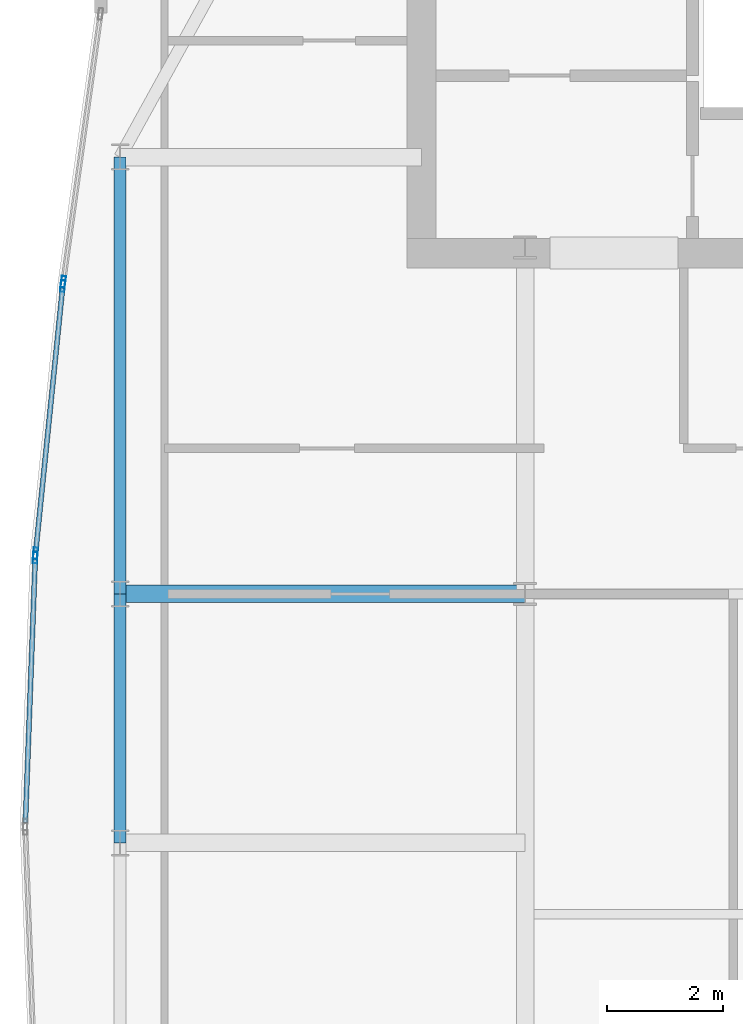
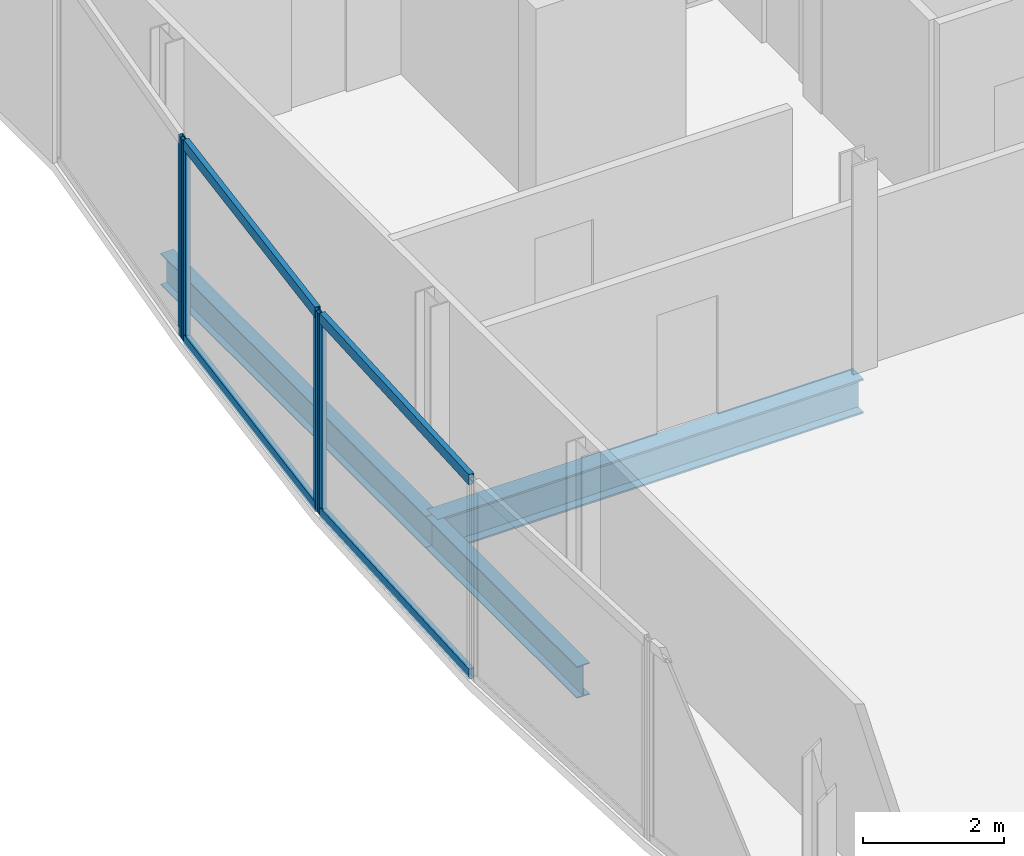
# One storey, part 10 of 26: 8 members, 3 beams, 3 elements without a shape of their own.
"""IFC4 building model written with IfcOpenShell, lengths in metres."""

from ifc_helpers import new_model, si_unit, direction, frame, origin, origin_2d, place, context, subcontext, project, spatial, hollow_rectangle, i_section, extrude, material, material_profile, profile_set, type_object, element, aggregate, save


model = new_model("IFC4")

# Units and contexts
model_context = context("Model", 3, precision=1e-05, world=origin(), true_north=direction((0.0, 1.0)))
body_context = subcontext(model_context, "Body", "Model", "MODEL_VIEW")
ifc_project = project(units=[si_unit("LENGTHUNIT", "METRE"), si_unit("AREAUNIT", "SQUARE_METRE"), si_unit("VOLUMEUNIT", "CUBIC_METRE"), si_unit("PLANEANGLEUNIT", "RADIAN"), si_unit("MASSUNIT", "GRAM", prefix="KILO")], contexts=[model_context])

# Site, building, storey
site_placement = place(None, origin())
site = spatial("IfcSite", under=ifc_project, at=site_placement, CompositionType="ELEMENT")
building_placement = place(site_placement, origin())
building = spatial("IfcBuilding", under=site, at=building_placement, Name="Khoronbel Lancet Exchange", CompositionType="ELEMENT")
storey_placement = place(building_placement, frame((0.0, 0.0, 339.800048828125)))
storey = spatial("IfcBuildingStorey", under=building, at=storey_placement, Name="L88", CompositionType="ELEMENT", Elevation=339.800048828125)

# Beams
ifc_material_1 = material(Name="Steel S355", Category="steel")
ifc_material_profile_1 = material_profile(ifc_material_1, i_section(OverallWidth=0.300048828125, OverallDepth=0.60009765625, WebThickness=0.015380859375, FlangeThickness=0.030029296875, at=origin_2d()), Name="HEB 600")
ifc_profile_set_1 = profile_set([ifc_material_profile_1], Name="Steel S355")
beam_type_1 = type_object("IfcBeamType", Name="BM-BG5", PredefinedType="BEAM", material=ifc_profile_set_1)
beam_1_placement = place(storey_placement, frame((11.27001953125, 35.699951171875, -0.4599609375), z_axis=(1.0, 0.0, 0.0), x_axis=(0.0, 1.0, 0.0)))
element("IfcBeam", 1, at=beam_1_placement, inside=storey, type_object=beam_type_1, Name="Level L88 west lens tie girder LG4W", PredefinedType="BEAM", context=body_context, shape_type="SweptSolid", body=[
    extrude(i_section(OverallWidth=0.300048828125, OverallDepth=0.60009765625, WebThickness=0.015380859375, FlangeThickness=0.030029296875, at=origin_2d()), origin(), (0.0, 0.0, 1.0), 6.955078125),
])
ifc_material_profile_2 = material_profile(ifc_material_1, i_section(OverallWidth=0.2099609375, OverallDepth=0.550048828125, WebThickness=0.010986328125, FlangeThickness=0.01708984375, at=origin_2d()), Name="IPE 550")
ifc_profile_set_2 = profile_set([ifc_material_profile_2], Name="Steel S355")
beam_type_2 = type_object("IfcBeamType", Name="BM-BSP3", PredefinedType="SPANDREL", material=ifc_profile_set_2)
beam_2_placement = place(storey_placement, frame((11.27001953125, 43.199951171875, -0.43505859375), z_axis=(0.0, -1.0, 0.0), x_axis=(1.0, 0.0, 0.0)))
element("IfcBeam", 2, at=beam_2_placement, inside=storey, type_object=beam_type_2, Name="Level L88 perimeter spandrel beam SP15", PredefinedType="SPANDREL", context=body_context, shape_type="SweptSolid", body=[
    extrude(i_section(OverallWidth=0.2099609375, OverallDepth=0.550048828125, WebThickness=0.010986328125, FlangeThickness=0.01708984375, at=origin_2d()), origin(), (0.0, 0.0, 1.0), 7.5),
])
beam_3_placement = place(storey_placement, frame((11.27001953125, 35.699951171875, -0.43505859375), z_axis=(0.0, -1.0, 0.0), x_axis=(1.0, 0.0, 0.0)))
element("IfcBeam", 3, at=beam_3_placement, inside=storey, type_object=beam_type_2, Name="Level L88 perimeter spandrel beam SP16", PredefinedType="SPANDREL", context=body_context, shape_type="SweptSolid", body=[
    extrude(i_section(OverallWidth=0.2099609375, OverallDepth=0.550048828125, WebThickness=0.010986328125, FlangeThickness=0.01708984375, at=origin_2d()), origin(), (0.0, 0.0, 1.0), 4.27490234375),
])

# Curtain wall, member
ifc_material_2 = material(Name="Low-E Solar Control Insulating Glass", Category="glass")
curtain_wall_type = type_object("IfcCurtainWallType", Name="CW-4", PredefinedType="NOTDEFINED", material=ifc_material_2)
curtain_wall_1_placement = place(storey_placement, origin())
curtain_wall_1 = element("IfcCurtainWall", 4, at=curtain_wall_1_placement, inside=storey, type_object=curtain_wall_type, Name="Unitised curtain wall CW-L88-E07", PredefinedType="NOTDEFINED")
ifc_material_3 = material(Name="Bronze-Anodised Aluminium 6063-T6", Category="aluminium")
ifc_material_profile_3 = material_profile(ifc_material_3, hollow_rectangle(XDim=0.074951171875, YDim=0.199951171875, WallThickness=0.0048828125, at=origin_2d()), Name="ALU MULLION 75x200")
ifc_profile_set_3 = profile_set([ifc_material_profile_3], Name="Bronze-Anodised Aluminium 6063-T6")
member_type_1 = type_object("IfcMemberType", Name="MEM-CWM2", PredefinedType="MULLION", material=ifc_profile_set_3)
member_1_placement = place(storey_placement, frame((9.814697265625, 36.322998046875, 0.0), z_axis=(0.0, 0.0, 1.0), x_axis=(-0.999307766192, 0.037201994942, 0.0)))
member_1 = element("IfcMember", 5, at=member_1_placement, type_object=member_type_1, Name="CW4 mullion 2", PredefinedType="MULLION", context=body_context, shape_type="SweptSolid", body=[
    extrude(hollow_rectangle(XDim=0.074951171875, YDim=0.199951171875, WallThickness=0.0048828125, at=origin_2d()), origin(), (0.0, 0.0, 1.0), 3.43994140625),
])

# Curtain wall, members
curtain_wall_2_placement = place(storey_placement, origin())
curtain_wall_2 = element("IfcCurtainWall", 6, at=curtain_wall_2_placement, inside=storey, type_object=curtain_wall_type, Name="Unitised curtain wall CW-L88-E08", PredefinedType="NOTDEFINED")
member_2_placement = place(storey_placement, frame((9.81982421875, 36.397705078125, 0.0), z_axis=(0.0, 0.0, 1.0), x_axis=(-0.994858128487, 0.101278350024, 0.0)))
member_2 = element("IfcMember", 7, at=member_2_placement, type_object=member_type_1, Name="CW4 mullion 1", PredefinedType="MULLION", context=body_context, shape_type="SweptSolid", body=[
    extrude(hollow_rectangle(XDim=0.074951171875, YDim=0.199951171875, WallThickness=0.0048828125, at=origin_2d()), origin(), (0.0, 0.0, 1.0), 3.43994140625),
])
member_3_placement = place(storey_placement, frame((10.286865234375, 40.985107421875, 0.0), z_axis=(0.0, 0.0, 1.0), x_axis=(-0.994858128487, 0.101278350024, 0.0)))
member_3 = element("IfcMember", 8, at=member_3_placement, type_object=member_type_1, Name="CW4 mullion 2", PredefinedType="MULLION", context=body_context, shape_type="SweptSolid", body=[
    extrude(hollow_rectangle(XDim=0.074951171875, YDim=0.199951171875, WallThickness=0.0048828125, at=origin_2d()), origin(), (0.0, 0.0, 1.0), 3.43994140625),
])

# Curtain wall, member
curtain_wall_3_placement = place(storey_placement, origin())
curtain_wall_3 = element("IfcCurtainWall", 9, at=curtain_wall_3_placement, inside=storey, type_object=curtain_wall_type, Name="Unitised curtain wall CW-L88-E09", PredefinedType="NOTDEFINED")
member_4_placement = place(storey_placement, frame((10.295654296875, 41.0595703125, 0.0), z_axis=(0.0, 0.0, 1.0), x_axis=(-0.990474689219, 0.137694916451, 0.0)))
member_4 = element("IfcMember", 10, at=member_4_placement, type_object=member_type_1, Name="CW4 mullion 1", PredefinedType="MULLION", context=body_context, shape_type="SweptSolid", body=[
    extrude(hollow_rectangle(XDim=0.074951171875, YDim=0.199951171875, WallThickness=0.0048828125, at=origin_2d()), origin(), (0.0, 0.0, 1.0), 3.43994140625),
])
aggregate(curtain_wall_3, [member_4])

# Member
ifc_material_profile_4 = material_profile(ifc_material_3, hollow_rectangle(XDim=0.0849609375, YDim=0.179931640625, WallThickness=0.0048828125, at=origin_2d()), Name="ALU TRANSOM 85x180")
ifc_profile_set_4 = profile_set([ifc_material_profile_4], Name="Bronze-Anodised Aluminium 6063-T6")
member_type_2 = type_object("IfcMemberType", Name="MEM-CWT1", PredefinedType="USERDEFINED", material=ifc_profile_set_4)
member_5_placement = place(storey_placement, frame((9.645263671875, 31.77490234375, 0.04248046875), z_axis=(0.037211706774, 0.999307404595, 0.0), x_axis=(-0.999307404595, 0.037211706774, 0.0)))
member_5 = element("IfcMember", 11, at=member_5_placement, type_object=member_type_2, Name="CW4 transom 1.1", ObjectType="TRANSOM", PredefinedType="USERDEFINED", context=body_context, shape_type="SweptSolid", body=[
    extrude(hollow_rectangle(XDim=0.0849609375, YDim=0.179931640625, WallThickness=0.0048828125, at=origin_2d()), origin(), (0.0, 0.0, 1.0), 4.513916015625),
])

member_6_placement = place(storey_placement, frame((9.645263671875, 31.77490234375, 3.3974609375), z_axis=(0.037211706774, 0.999307404595, 0.0), x_axis=(-0.999307404595, 0.037211706774, 0.0)))
member_6 = element("IfcMember", 12, at=member_6_placement, type_object=member_type_2, Name="CW4 transom 1.2", ObjectType="TRANSOM", PredefinedType="USERDEFINED", context=body_context, shape_type="SweptSolid", body=[
    extrude(hollow_rectangle(XDim=0.0849609375, YDim=0.179931640625, WallThickness=0.0048828125, at=origin_2d()), origin(), (0.0, 0.0, 1.0), 4.513916015625),
])

aggregate(curtain_wall_1, [member_1, member_5, member_6])

member_7_placement = place(storey_placement, frame((9.823486328125, 36.43505859375, 0.04248046875), z_axis=(0.10128866762, 0.994857078083, 0.0), x_axis=(-0.994857078083, 0.10128866762, 0.0)))
member_7 = element("IfcMember", 13, at=member_7_placement, type_object=member_type_2, Name="CW4 transom 1.1", ObjectType="TRANSOM", PredefinedType="USERDEFINED", context=body_context, shape_type="SweptSolid", body=[
    extrude(hollow_rectangle(XDim=0.0849609375, YDim=0.179931640625, WallThickness=0.0048828125, at=origin_2d()), origin(), (0.0, 0.0, 1.0), 4.536376953125),
])

member_8_placement = place(storey_placement, frame((9.823486328125, 36.43505859375, 3.3974609375), z_axis=(0.10128866762, 0.994857078083, 0.0), x_axis=(-0.994857078083, 0.10128866762, 0.0)))
member_8 = element("IfcMember", 14, at=member_8_placement, type_object=member_type_2, Name="CW4 transom 1.2", ObjectType="TRANSOM", PredefinedType="USERDEFINED", context=body_context, shape_type="SweptSolid", body=[
    extrude(hollow_rectangle(XDim=0.0849609375, YDim=0.179931640625, WallThickness=0.0048828125, at=origin_2d()), origin(), (0.0, 0.0, 1.0), 4.536376953125),
])

aggregate(curtain_wall_2, [member_2, member_3, member_7, member_8])

save(model, "model.ifc")
